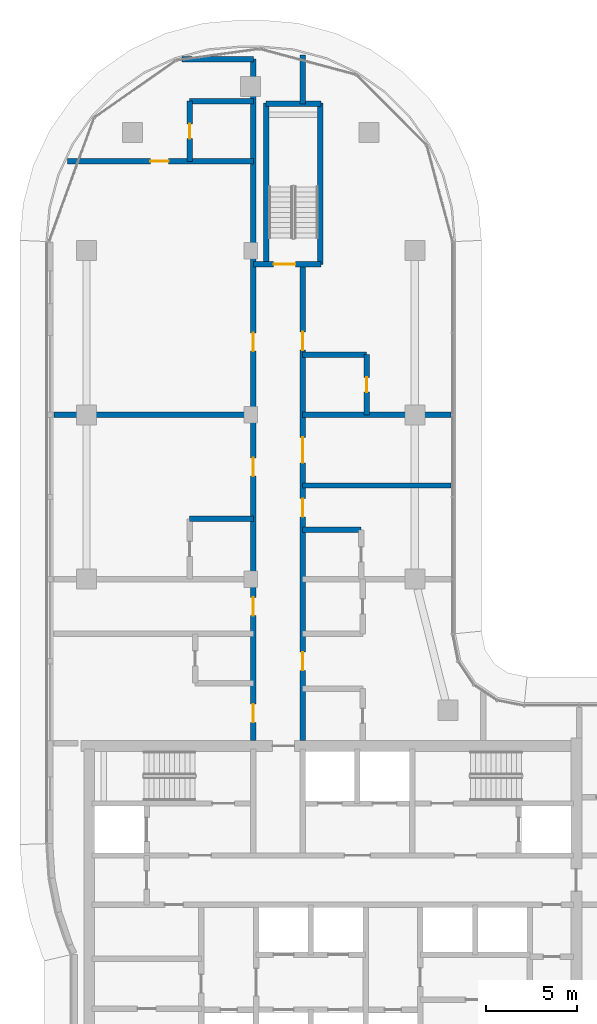
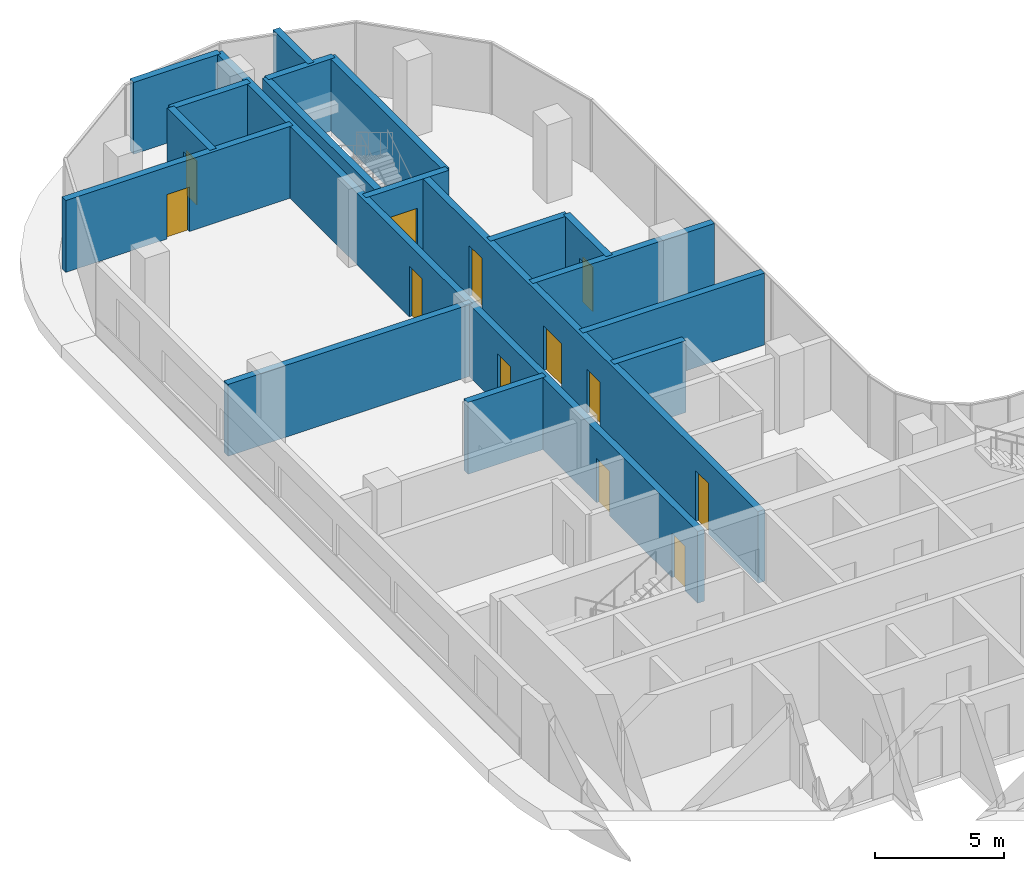
# One storey, part 13 of 26: 18 walls, 12 doors, 12 openings.
"""IFC4 building model written with IfcOpenShell, lengths in metres."""

from ifc_helpers import new_model, si_unit, direction, frame, frame_2d, origin, place, context, subcontext, project, spatial, rectangle, extrude, material, layer, layer_set, type_object, element, fill, save


model = new_model("IFC4")

# Units and contexts
model_context = context("Model", 3, precision=1e-05, world=origin(), true_north=direction((0.0, 1.0)))
body_context = subcontext(model_context, "Body", "Model", "MODEL_VIEW")
ifc_project = project(units=[si_unit("LENGTHUNIT", "METRE"), si_unit("AREAUNIT", "SQUARE_METRE"), si_unit("VOLUMEUNIT", "CUBIC_METRE"), si_unit("PLANEANGLEUNIT", "RADIAN"), si_unit("MASSUNIT", "GRAM", prefix="KILO")], contexts=[model_context])

# Site, building, storey
site_placement = place(None, origin())
site = spatial("IfcSite", under=ifc_project, at=site_placement, CompositionType="ELEMENT")
building_placement = place(site_placement, origin())
building = spatial("IfcBuilding", under=site, at=building_placement, Name="Ogive Portal Towers", CompositionType="ELEMENT")
storey_placement = place(building_placement, frame((0.0, 0.0, 171.800048828125)))
storey = spatial("IfcBuildingStorey", under=building, at=storey_placement, Name="L42", CompositionType="ELEMENT", Elevation=171.800048828125)

# Wall, opening, door
ifc_material_1 = material(Name="Concrete C50/60", Category="concrete")
ifc_layer_1 = layer(ifc_material_1, 0.300048828125)
ifc_layer_set_1 = layer_set([ifc_layer_1], Name="STAIR WALL 300 C50")
wall_type_1 = type_object("IfcWallType", Name="STAIR WALL 300 C50", PredefinedType="SHEAR", material=ifc_layer_set_1)
wall_1_placement = place(storey_placement, frame((40.64990234375, 65.75, 0.0), z_axis=(0.0, 0.0, 1.0), x_axis=(1.0, 0.0, 0.0)))
wall_1 = element("IfcWall", 1, at=wall_1_placement, inside=storey, type_object=wall_type_1, Name="Stair wall ST-A3 L42", PredefinedType="SHEAR", context=body_context, shape_type="SweptSolid", body=[
    extrude(rectangle(XDim=3.7001953125, YDim=0.300048828125, at=frame_2d((1.85009765625, 0.0))), origin(), (0.0, 0.0, 1.0), 3.39990234375),
])
opening_1_placement = place(wall_1_placement, frame((1.10009765625, 0.0, 0.0)))
opening_1 = element("IfcOpeningElement", 2, at=opening_1_placement, cuts=wall_1, Name="Opening D17-052", PredefinedType="OPENING", context=body_context, shape_type="SweptSolid", body=[
    extrude(rectangle(XDim=1.199951171875, YDim=2.10009765625, at=frame_2d((0.60009765625, 1.050048828125))), frame((0.0, 0.16015625, 0.0), z_axis=(0.0, -1.0, 0.0), x_axis=(1.0, 0.0, 0.0)), (0.0, 0.0, 1.0), 0.320068359375),
])
ifc_material_2 = material(Name="Steel fire door", Category="steel")
door_type_1 = type_object("IfcDoorType", Name="DT-STAIR-1200x2100-FD90S", OperationType="SINGLE_SWING_LEFT", PredefinedType="DOOR", material=ifc_material_2)
door_1_placement = place(opening_1_placement, origin())
door_1 = element("IfcDoor", 3, at=door_1_placement, inside=storey, type_object=door_type_1, Name="Door D17-052", OperationType="SINGLE_SWING_RIGHT", OverallHeight=2.10009765625, OverallWidth=1.199951171875, PredefinedType="DOOR", context=body_context, shape_type="SweptSolid", body=[
    extrude(rectangle(XDim=1.199951171875, YDim=2.10009765625, at=frame_2d((0.60009765625, 1.050048828125))), frame((0.0, 0.02490234375, 0.0), z_axis=(0.0, -1.0, 0.0), x_axis=(1.0, 0.0, 0.0)), (0.0, 0.0, 1.0), 0.050048828125),
])
fill(opening_1, door_1)

# Walls
wall_2_placement = place(storey_placement, frame((41.35009765625, 74.550048828125, 0.0), z_axis=(0.0, 0.0, 1.0), x_axis=(1.0, 0.0, 0.0)))
element("IfcWall", 4, at=wall_2_placement, inside=storey, type_object=wall_type_1, Name="Stair wall ST-A3 L42", PredefinedType="SHEAR", context=body_context, shape_type="SweptSolid", body=[
    extrude(rectangle(XDim=3.0, YDim=0.300048828125, at=frame_2d((1.5, 0.0))), origin(), (0.0, 0.0, 1.0), 3.39990234375),
])
for number, where, z_axis, x_axis, name in (
    (5, (41.35009765625, 65.75, 0.0), (0.0, 0.0, 1.0), (0.0, 1.0, 0.0), "Stair wall ST-A3 L42"),
    (6, (44.300048828125, 65.75, 0.0), (0.0, 0.0, 1.0), (0.0, 1.0, 0.0), "Stair wall ST-A3 L42"),
):
    element("IfcWall", number, at=place(storey_placement, frame(where, z_axis=z_axis, x_axis=x_axis)), inside=storey, type_object=wall_type_1, Name=name, PredefinedType="SHEAR", context=body_context, shape_type="SweptSolid", body=[
        extrude(rectangle(XDim=8.85009765625, YDim=0.300048828125, at=frame_2d((4.425048828125, 0.0))), origin(), (0.0, 0.0, 1.0), 3.39990234375),
    ])
ifc_material_3 = material(Name="Gypsum board partition on steel studs", Category="steel")
ifc_layer_2 = layer(ifc_material_3, 0.300048828125)
ifc_layer_set_2 = layer_set([ifc_layer_2], Name="WT-PART-300-EI 60")
wall_type_2 = type_object("IfcWallType", Name="WT-PART-300-EI 60", PredefinedType="PARTITIONING", material=ifc_layer_set_2)
wall_3_placement = place(storey_placement, frame((43.35009765625, 51.199951171875, 0.0), z_axis=(0.0, 0.0, 1.0), x_axis=(1.0, 0.0, 0.0)))
element("IfcWall", 7, at=wall_3_placement, inside=storey, type_object=wall_type_2, Name="Wall L42:w016", PredefinedType="PARTITIONING", context=body_context, shape_type="SweptSolid", body=[
    extrude(rectangle(XDim=3.199951171875, YDim=0.300048828125, at=frame_2d((1.60009765625, 0.0))), origin(), (0.0, 0.0, 1.0), 3.39990234375),
])
wall_4_placement = place(storey_placement, frame((37.14990234375, 51.800048828125, 0.0), z_axis=(0.0, 0.0, 1.0), x_axis=(1.0, 0.0, 0.0)))
element("IfcWall", 8, at=wall_4_placement, inside=storey, type_object=wall_type_2, Name="Wall L42:w017", PredefinedType="PARTITIONING", context=body_context, shape_type="SweptSolid", body=[
    extrude(rectangle(XDim=3.5, YDim=0.300048828125, at=frame_2d((1.75, 0.0))), origin(), (0.0, 0.0, 1.0), 3.39990234375),
])
wall_5_placement = place(storey_placement, frame((43.35009765625, 53.6298828125, 0.0), z_axis=(0.0, 0.0, 1.0), x_axis=(1.0, 0.0, 0.0)))
element("IfcWall", 9, at=wall_5_placement, inside=storey, type_object=wall_type_2, Name="Wall L42:w018", PredefinedType="PARTITIONING", context=body_context, shape_type="SweptSolid", body=[
    extrude(rectangle(XDim=8.125, YDim=0.300048828125, at=frame_2d((4.0625, 0.0))), origin(), (0.0, 0.0, 1.0), 3.39990234375),
])
wall_6_placement = place(storey_placement, frame((29.705078125, 57.5, 0.0), z_axis=(0.0, 0.0, 1.0), x_axis=(1.0, 0.0, 0.0)))
element("IfcWall", 10, at=wall_6_placement, inside=storey, type_object=wall_type_2, Name="Wall L42:w019", PredefinedType="PARTITIONING", context=body_context, shape_type="SweptSolid", body=[
    extrude(rectangle(XDim=10.94482421875, YDim=0.300048828125, at=frame_2d((5.472412109375, 0.0))), origin(), (0.0, 0.0, 1.0), 3.39990234375),
])
wall_7_placement = place(storey_placement, frame((43.35009765625, 57.5, 0.0), z_axis=(0.0, 0.0, 1.0), x_axis=(1.0, 0.0, 0.0)))
element("IfcWall", 11, at=wall_7_placement, inside=storey, type_object=wall_type_2, Name="Wall L42:w020", PredefinedType="PARTITIONING", context=body_context, shape_type="SweptSolid", body=[
    extrude(rectangle(XDim=8.125, YDim=0.300048828125, at=frame_2d((4.0625, 0.0))), origin(), (0.0, 0.0, 1.0), 3.39990234375),
])
wall_8_placement = place(storey_placement, frame((43.35009765625, 60.800048828125, 0.0), z_axis=(0.0, 0.0, 1.0), x_axis=(1.0, 0.0, 0.0)))
element("IfcWall", 12, at=wall_8_placement, inside=storey, type_object=wall_type_2, Name="Wall L42:w021", PredefinedType="PARTITIONING", context=body_context, shape_type="SweptSolid", body=[
    extrude(rectangle(XDim=3.5, YDim=0.300048828125, at=frame_2d((1.75, 0.0))), origin(), (0.0, 0.0, 1.0), 3.39990234375),
])

# Wall, opening, door
wall_9_placement = place(storey_placement, frame((30.470947265625, 71.39990234375, 0.0), z_axis=(0.0, 0.0, 1.0), x_axis=(1.0, 0.0, 0.0)))
wall_9 = element("IfcWall", 13, at=wall_9_placement, inside=storey, type_object=wall_type_2, Name="Wall L42:w023", PredefinedType="PARTITIONING", context=body_context, shape_type="SweptSolid", body=[
    extrude(rectangle(XDim=10.178955078125, YDim=0.300048828125, at=frame_2d((5.08935546875, 0.0))), origin(), (0.0, 0.0, 1.0), 3.39990234375),
])
opening_2_placement = place(wall_9_placement, frame((4.529052734375, 0.0, 0.0)))
opening_2 = element("IfcOpeningElement", 14, at=opening_2_placement, cuts=wall_9, Name="Opening D17-046", PredefinedType="OPENING", context=body_context, shape_type="SweptSolid", body=[
    extrude(rectangle(XDim=1.0, YDim=2.10009765625, at=frame_2d((0.5, 1.050048828125))), frame((0.0, 0.16015625, 0.0), z_axis=(0.0, -1.0, 0.0), x_axis=(1.0, 0.0, 0.0)), (0.0, 0.0, 1.0), 0.320068359375),
])
door_type_2 = type_object("IfcDoorType", Name="DT-ENTRY-1000x2100-FD60S", OperationType="SINGLE_SWING_LEFT", PredefinedType="DOOR", material=ifc_material_2)
door_2_placement = place(opening_2_placement, origin())
door_2 = element("IfcDoor", 15, at=door_2_placement, inside=storey, type_object=door_type_2, Name="Door D17-046", OperationType="SINGLE_SWING_RIGHT", OverallHeight=2.10009765625, OverallWidth=1.0, PredefinedType="DOOR", context=body_context, shape_type="SweptSolid", body=[
    extrude(rectangle(XDim=1.0, YDim=2.10009765625, at=frame_2d((0.5, 1.050048828125))), frame((0.0, 0.02490234375, 0.0), z_axis=(0.0, -1.0, 0.0), x_axis=(1.0, 0.0, 0.0)), (0.0, 0.0, 1.0), 0.050048828125),
])
fill(opening_2, door_2)

# Walls
wall_10_placement = place(storey_placement, frame((37.14990234375, 74.699951171875, 0.0), z_axis=(0.0, 0.0, 1.0), x_axis=(1.0, 0.0, 0.0)))
element("IfcWall", 16, at=wall_10_placement, inside=storey, type_object=wall_type_2, Name="Wall L42:w025", PredefinedType="PARTITIONING", context=body_context, shape_type="SweptSolid", body=[
    extrude(rectangle(XDim=3.5, YDim=0.300048828125, at=frame_2d((1.75, 0.0))), origin(), (0.0, 0.0, 1.0), 3.39990234375),
])
wall_11_placement = place(storey_placement, frame((36.743896484375, 77.0, 0.0), z_axis=(0.0, 0.0, 1.0), x_axis=(1.0, 0.0, 0.0)))
element("IfcWall", 17, at=wall_11_placement, inside=storey, type_object=wall_type_2, Name="Wall L42:w026", PredefinedType="PARTITIONING", context=body_context, shape_type="SweptSolid", body=[
    extrude(rectangle(XDim=3.906005859375, YDim=0.300048828125, at=frame_2d((1.953125, 0.0))), origin(), (0.0, 0.0, 1.0), 3.39990234375),
])

# Wall, opening, door
wall_12_placement = place(storey_placement, frame((37.14990234375, 71.39990234375, 0.0), z_axis=(0.0, 0.0, 1.0), x_axis=(0.0, 1.0, 0.0)))
wall_12 = element("IfcWall", 18, at=wall_12_placement, inside=storey, type_object=wall_type_2, Name="Wall L42:w028", PredefinedType="PARTITIONING", context=body_context, shape_type="SweptSolid", body=[
    extrude(rectangle(XDim=3.300048828125, YDim=0.300048828125, at=frame_2d((1.64990234375, 0.0))), origin(), (0.0, 0.0, 1.0), 3.39990234375),
])
opening_3_placement = place(wall_12_placement, frame((1.25, 0.0, 0.0)))
opening_3 = element("IfcOpeningElement", 19, at=opening_3_placement, cuts=wall_12, Name="Opening D17-047", PredefinedType="OPENING", context=body_context, shape_type="SweptSolid", body=[
    extrude(rectangle(XDim=0.800048828125, YDim=2.10009765625, at=frame_2d((0.39990234375, 1.050048828125))), frame((0.0, 0.16015625, 0.0), z_axis=(0.0, -1.0, 0.0), x_axis=(1.0, 0.0, 0.0)), (0.0, 0.0, 1.0), 0.320068359375),
])
door_type_3 = type_object("IfcDoorType", Name="DT-BATH-800x2100-FD60S", OperationType="SINGLE_SWING_LEFT", PredefinedType="DOOR", material=ifc_material_2)
door_3_placement = place(opening_3_placement, origin())
door_3 = element("IfcDoor", 20, at=door_3_placement, inside=storey, type_object=door_type_3, Name="Door D17-047", OperationType="SINGLE_SWING_LEFT", OverallHeight=2.10009765625, OverallWidth=0.800048828125, PredefinedType="DOOR", context=body_context, shape_type="SweptSolid", body=[
    extrude(rectangle(XDim=0.800048828125, YDim=2.10009765625, at=frame_2d((0.39990234375, 1.050048828125))), frame((0.0, 0.02490234375, 0.0), z_axis=(0.0, -1.0, 0.0), x_axis=(1.0, 0.0, 0.0)), (0.0, 0.0, 1.0), 0.050048828125),
])
fill(opening_3, door_3)

# Wall, openings, doors
wall_13_placement = place(storey_placement, frame((40.64990234375, 39.64990234375, 0.0), z_axis=(0.0, 0.0, 1.0), x_axis=(0.0, 1.0, 0.0)))
wall_13 = element("IfcWall", 21, at=wall_13_placement, inside=storey, type_object=wall_type_2, Name="Wall L42:w030", PredefinedType="PARTITIONING", context=body_context, shape_type="SweptSolid", body=[
    extrude(rectangle(XDim=37.35009765625, YDim=0.300048828125, at=frame_2d((18.675048828125, 0.0))), origin(), (0.0, 0.0, 1.0), 3.39990234375),
])
opening_4_placement = place(wall_13_placement, frame((1.0, 0.0, 0.0)))
opening_4 = element("IfcOpeningElement", 22, at=opening_4_placement, cuts=wall_13, Name="Opening D17-036", PredefinedType="OPENING", context=body_context, shape_type="SweptSolid", body=[
    extrude(rectangle(XDim=1.0, YDim=2.10009765625, at=frame_2d((0.5, 1.050048828125))), frame((0.0, 0.16015625, 0.0), z_axis=(0.0, -1.0, 0.0), x_axis=(1.0, 0.0, 0.0)), (0.0, 0.0, 1.0), 0.320068359375),
])
opening_5_placement = place(wall_13_placement, frame((6.85009765625, 0.0, 0.0)))
opening_5 = element("IfcOpeningElement", 23, at=opening_5_placement, cuts=wall_13, Name="Opening D17-037", PredefinedType="OPENING", context=body_context, shape_type="SweptSolid", body=[
    extrude(rectangle(XDim=1.0, YDim=2.10009765625, at=frame_2d((0.5, 1.050048828125))), frame((0.0, 0.16015625, 0.0), z_axis=(0.0, -1.0, 0.0), x_axis=(1.0, 0.0, 0.0)), (0.0, 0.0, 1.0), 0.320068359375),
])
opening_6_placement = place(wall_13_placement, frame((14.5, 0.0, 0.0)))
opening_6 = element("IfcOpeningElement", 24, at=opening_6_placement, cuts=wall_13, Name="Opening D17-042", PredefinedType="OPENING", context=body_context, shape_type="SweptSolid", body=[
    extrude(rectangle(XDim=1.0, YDim=2.39990234375, at=frame_2d((0.5, 1.199951171875))), frame((0.0, 0.16015625, 0.0), z_axis=(0.0, -1.0, 0.0), x_axis=(1.0, 0.0, 0.0)), (0.0, 0.0, 1.0), 0.320068359375),
])
opening_7_placement = place(wall_13_placement, frame((21.35009765625, 0.0, 0.0)))
opening_7 = element("IfcOpeningElement", 25, at=opening_7_placement, cuts=wall_13, Name="Opening D17-045", PredefinedType="OPENING", context=body_context, shape_type="SweptSolid", body=[
    extrude(rectangle(XDim=1.0, YDim=2.39990234375, at=frame_2d((0.5, 1.199951171875))), frame((0.0, 0.16015625, 0.0), z_axis=(0.0, -1.0, 0.0), x_axis=(1.0, 0.0, 0.0)), (0.0, 0.0, 1.0), 0.320068359375),
])
door_4_placement = place(opening_4_placement, origin())
door_4 = element("IfcDoor", 26, at=door_4_placement, inside=storey, type_object=door_type_2, Name="Door D17-036", OperationType="SINGLE_SWING_LEFT", OverallHeight=2.10009765625, OverallWidth=1.0, PredefinedType="DOOR", context=body_context, shape_type="SweptSolid", body=[
    extrude(rectangle(XDim=1.0, YDim=2.10009765625, at=frame_2d((0.5, 1.050048828125))), frame((0.0, 0.02490234375, 0.0), z_axis=(0.0, -1.0, 0.0), x_axis=(1.0, 0.0, 0.0)), (0.0, 0.0, 1.0), 0.050048828125),
])
fill(opening_4, door_4)
door_5_placement = place(opening_5_placement, origin())
door_5 = element("IfcDoor", 27, at=door_5_placement, inside=storey, type_object=door_type_2, Name="Door D17-037", OperationType="SINGLE_SWING_RIGHT", OverallHeight=2.10009765625, OverallWidth=1.0, PredefinedType="DOOR", context=body_context, shape_type="SweptSolid", body=[
    extrude(rectangle(XDim=1.0, YDim=2.10009765625, at=frame_2d((0.5, 1.050048828125))), frame((0.0, 0.02490234375, 0.0), z_axis=(0.0, -1.0, 0.0), x_axis=(1.0, 0.0, 0.0)), (0.0, 0.0, 1.0), 0.050048828125),
])
fill(opening_5, door_5)
door_type_4 = type_object("IfcDoorType", Name="DT-ENTRY-1000x2400-FD60S", OperationType="SINGLE_SWING_LEFT", PredefinedType="DOOR", material=ifc_material_2)
door_6_placement = place(opening_6_placement, origin())
door_6 = element("IfcDoor", 28, at=door_6_placement, inside=storey, type_object=door_type_4, Name="Door D17-042", OperationType="SINGLE_SWING_LEFT", OverallHeight=2.39990234375, OverallWidth=1.0, PredefinedType="DOOR", context=body_context, shape_type="SweptSolid", body=[
    extrude(rectangle(XDim=1.0, YDim=2.39990234375, at=frame_2d((0.5, 1.199951171875))), frame((0.0, 0.02490234375, 0.0), z_axis=(0.0, -1.0, 0.0), x_axis=(1.0, 0.0, 0.0)), (0.0, 0.0, 1.0), 0.050048828125),
])
fill(opening_6, door_6)
door_7_placement = place(opening_7_placement, origin())
door_7 = element("IfcDoor", 29, at=door_7_placement, inside=storey, type_object=door_type_4, Name="Door D17-045", OperationType="SINGLE_SWING_LEFT", OverallHeight=2.39990234375, OverallWidth=1.0, PredefinedType="DOOR", context=body_context, shape_type="SweptSolid", body=[
    extrude(rectangle(XDim=1.0, YDim=2.39990234375, at=frame_2d((0.5, 1.199951171875))), frame((0.0, 0.02490234375, 0.0), z_axis=(0.0, -1.0, 0.0), x_axis=(1.0, 0.0, 0.0)), (0.0, 0.0, 1.0), 0.050048828125),
])
fill(opening_7, door_7)

# Wall, opening, door
wall_14_placement = place(storey_placement, frame((46.85009765625, 57.5, 0.0), z_axis=(0.0, 0.0, 1.0), x_axis=(0.0, 1.0, 0.0)))
wall_14 = element("IfcWall", 30, at=wall_14_placement, inside=storey, type_object=wall_type_2, Name="Wall L42:w038", PredefinedType="PARTITIONING", context=body_context, shape_type="SweptSolid", body=[
    extrude(rectangle(XDim=3.300048828125, YDim=0.300048828125, at=frame_2d((1.64990234375, 0.0))), origin(), (0.0, 0.0, 1.0), 3.39990234375),
])
opening_8_placement = place(wall_14_placement, frame((1.25, 0.0, 0.0)))
opening_8 = element("IfcOpeningElement", 31, at=opening_8_placement, cuts=wall_14, Name="Opening D17-043", PredefinedType="OPENING", context=body_context, shape_type="SweptSolid", body=[
    extrude(rectangle(XDim=0.800048828125, YDim=2.10009765625, at=frame_2d((0.39990234375, 1.050048828125))), frame((0.0, 0.16015625, 0.0), z_axis=(0.0, -1.0, 0.0), x_axis=(1.0, 0.0, 0.0)), (0.0, 0.0, 1.0), 0.320068359375),
])
door_8_placement = place(opening_8_placement, origin())
door_8 = element("IfcDoor", 32, at=door_8_placement, inside=storey, type_object=door_type_3, Name="Door D17-043", OperationType="SINGLE_SWING_LEFT", OverallHeight=2.10009765625, OverallWidth=0.800048828125, PredefinedType="DOOR", context=body_context, shape_type="SweptSolid", body=[
    extrude(rectangle(XDim=0.800048828125, YDim=2.10009765625, at=frame_2d((0.39990234375, 1.050048828125))), frame((0.0, 0.02490234375, 0.0), z_axis=(0.0, -1.0, 0.0), x_axis=(1.0, 0.0, 0.0)), (0.0, 0.0, 1.0), 0.050048828125),
])
fill(opening_8, door_8)

# Wall, openings, doors
ifc_material_4 = material(Name="Concrete C40/50", Category="concrete")
ifc_layer_3 = layer(ifc_material_4, 0.300048828125)
ifc_layer_set_3 = layer_set([ifc_layer_3], Name="WT-SHAFT-300")
wall_type_3 = type_object("IfcWallType", Name="WT-SHAFT-300", PredefinedType="SOLIDWALL", material=ifc_layer_set_3)
wall_15_placement = place(storey_placement, frame((43.35009765625, 39.64990234375, 0.0), z_axis=(0.0, 0.0, 1.0), x_axis=(0.0, 1.0, 0.0)))
wall_15 = element("IfcWall", 33, at=wall_15_placement, inside=storey, type_object=wall_type_3, Name="Wall L42:w032", PredefinedType="SOLIDWALL", context=body_context, shape_type="SweptSolid", body=[
    extrude(rectangle(XDim=26.150146484375, YDim=0.300048828125, at=frame_2d((13.0751953125, 0.0))), origin(), (0.0, 0.0, 1.0), 3.39990234375),
])
opening_9_placement = place(wall_15_placement, frame((3.85009765625, 0.0, 0.0)))
opening_9 = element("IfcOpeningElement", 34, at=opening_9_placement, cuts=wall_15, Name="Opening D17-034", PredefinedType="OPENING", context=body_context, shape_type="SweptSolid", body=[
    extrude(rectangle(XDim=1.0, YDim=2.39990234375, at=frame_2d((0.5, 1.199951171875))), frame((0.0, 0.16015625, 0.0), z_axis=(0.0, -1.0, 0.0), x_axis=(1.0, 0.0, 0.0)), (0.0, 0.0, 1.0), 0.320068359375),
])
opening_10_placement = place(wall_15_placement, frame((12.264892578125, 0.0, 0.0)))
opening_10 = element("IfcOpeningElement", 35, at=opening_10_placement, cuts=wall_15, Name="Opening D17-039", PredefinedType="OPENING", context=body_context, shape_type="SweptSolid", body=[
    extrude(rectangle(XDim=1.0, YDim=2.10009765625, at=frame_2d((0.5, 1.050048828125))), frame((0.0, 0.16015625, 0.0), z_axis=(0.0, -1.0, 0.0), x_axis=(1.0, 0.0, 0.0)), (0.0, 0.0, 1.0), 0.320068359375),
])
opening_11_placement = place(wall_15_placement, frame((15.215087890625, 0.0, 0.0)))
opening_11 = element("IfcOpeningElement", 36, at=opening_11_placement, cuts=wall_15, Name="Opening D17-040", PredefinedType="OPENING", context=body_context, shape_type="SweptSolid", body=[
    extrude(rectangle(XDim=1.39990234375, YDim=2.10009765625, at=frame_2d((0.699951171875, 1.050048828125))), frame((0.0, 0.16015625, 0.0), z_axis=(0.0, -1.0, 0.0), x_axis=(1.0, 0.0, 0.0)), (0.0, 0.0, 1.0), 0.320068359375),
])
opening_12_placement = place(wall_15_placement, frame((21.39990234375, 0.0, 0.0)))
opening_12 = element("IfcOpeningElement", 37, at=opening_12_placement, cuts=wall_15, Name="Opening D17-044", PredefinedType="OPENING", context=body_context, shape_type="SweptSolid", body=[
    extrude(rectangle(XDim=1.0, YDim=2.39990234375, at=frame_2d((0.5, 1.199951171875))), frame((0.0, 0.16015625, 0.0), z_axis=(0.0, -1.0, 0.0), x_axis=(1.0, 0.0, 0.0)), (0.0, 0.0, 1.0), 0.320068359375),
])
door_type_5 = type_object("IfcDoorType", Name="DT-ENTRY-1000x2100-FD90S", OperationType="SINGLE_SWING_LEFT", PredefinedType="DOOR", material=ifc_material_2)
door_9_placement = place(opening_10_placement, origin())
door_9 = element("IfcDoor", 38, at=door_9_placement, inside=storey, type_object=door_type_5, Name="Door D17-039", OperationType="SINGLE_SWING_LEFT", OverallHeight=2.10009765625, OverallWidth=1.0, PredefinedType="DOOR", context=body_context, shape_type="SweptSolid", body=[
    extrude(rectangle(XDim=1.0, YDim=2.10009765625, at=frame_2d((0.5, 1.050048828125))), frame((0.0, 0.02490234375, 0.0), z_axis=(0.0, -1.0, 0.0), x_axis=(1.0, 0.0, 0.0)), (0.0, 0.0, 1.0), 0.050048828125),
])
fill(opening_10, door_9)
door_type_6 = type_object("IfcDoorType", Name="DT-ENTRY-1000x2400-FD90S", OperationType="SINGLE_SWING_LEFT", PredefinedType="DOOR", material=ifc_material_2)
door_10_placement = place(opening_9_placement, origin())
door_10 = element("IfcDoor", 39, at=door_10_placement, inside=storey, type_object=door_type_6, Name="Door D17-034", OperationType="SINGLE_SWING_LEFT", OverallHeight=2.39990234375, OverallWidth=1.0, PredefinedType="DOOR", context=body_context, shape_type="SweptSolid", body=[
    extrude(rectangle(XDim=1.0, YDim=2.39990234375, at=frame_2d((0.5, 1.199951171875))), frame((0.0, 0.02490234375, 0.0), z_axis=(0.0, -1.0, 0.0), x_axis=(1.0, 0.0, 0.0)), (0.0, 0.0, 1.0), 0.050048828125),
])
fill(opening_9, door_10)
door_11_placement = place(opening_12_placement, origin())
door_11 = element("IfcDoor", 40, at=door_11_placement, inside=storey, type_object=door_type_6, Name="Door D17-044", OperationType="SINGLE_SWING_RIGHT", OverallHeight=2.39990234375, OverallWidth=1.0, PredefinedType="DOOR", context=body_context, shape_type="SweptSolid", body=[
    extrude(rectangle(XDim=1.0, YDim=2.39990234375, at=frame_2d((0.5, 1.199951171875))), frame((0.0, 0.02490234375, 0.0), z_axis=(0.0, -1.0, 0.0), x_axis=(1.0, 0.0, 0.0)), (0.0, 0.0, 1.0), 0.050048828125),
])
fill(opening_12, door_11)
door_type_7 = type_object("IfcDoorType", Name="DT-ENTRY-1400x2100-FD90S", OperationType="SINGLE_SWING_LEFT", PredefinedType="DOOR", material=ifc_material_2)
door_12_placement = place(opening_11_placement, origin())
door_12 = element("IfcDoor", 41, at=door_12_placement, inside=storey, type_object=door_type_7, Name="Door D17-040", OperationType="SINGLE_SWING_RIGHT", OverallHeight=2.10009765625, OverallWidth=1.39990234375, PredefinedType="DOOR", context=body_context, shape_type="SweptSolid", body=[
    extrude(rectangle(XDim=1.39990234375, YDim=2.10009765625, at=frame_2d((0.699951171875, 1.050048828125))), frame((0.0, 0.02490234375, 0.0), z_axis=(0.0, -1.0, 0.0), x_axis=(1.0, 0.0, 0.0)), (0.0, 0.0, 1.0), 0.050048828125),
])
fill(opening_11, door_12)

# Wall
wall_16_placement = place(storey_placement, frame((43.35009765625, 74.550048828125, 0.0), z_axis=(0.0, 0.0, 1.0), x_axis=(0.0, 1.0, 0.0)))
element("IfcWall", 42, at=wall_16_placement, inside=storey, type_object=wall_type_3, Name="Wall L42:w033", PredefinedType="SOLIDWALL", context=body_context, shape_type="SweptSolid", body=[
    extrude(rectangle(XDim=2.68505859375, YDim=0.300048828125, at=frame_2d((1.342529296875, 0.0))), origin(), (0.0, 0.0, 1.0), 3.39990234375),
])

save(model, "model.ifc")
